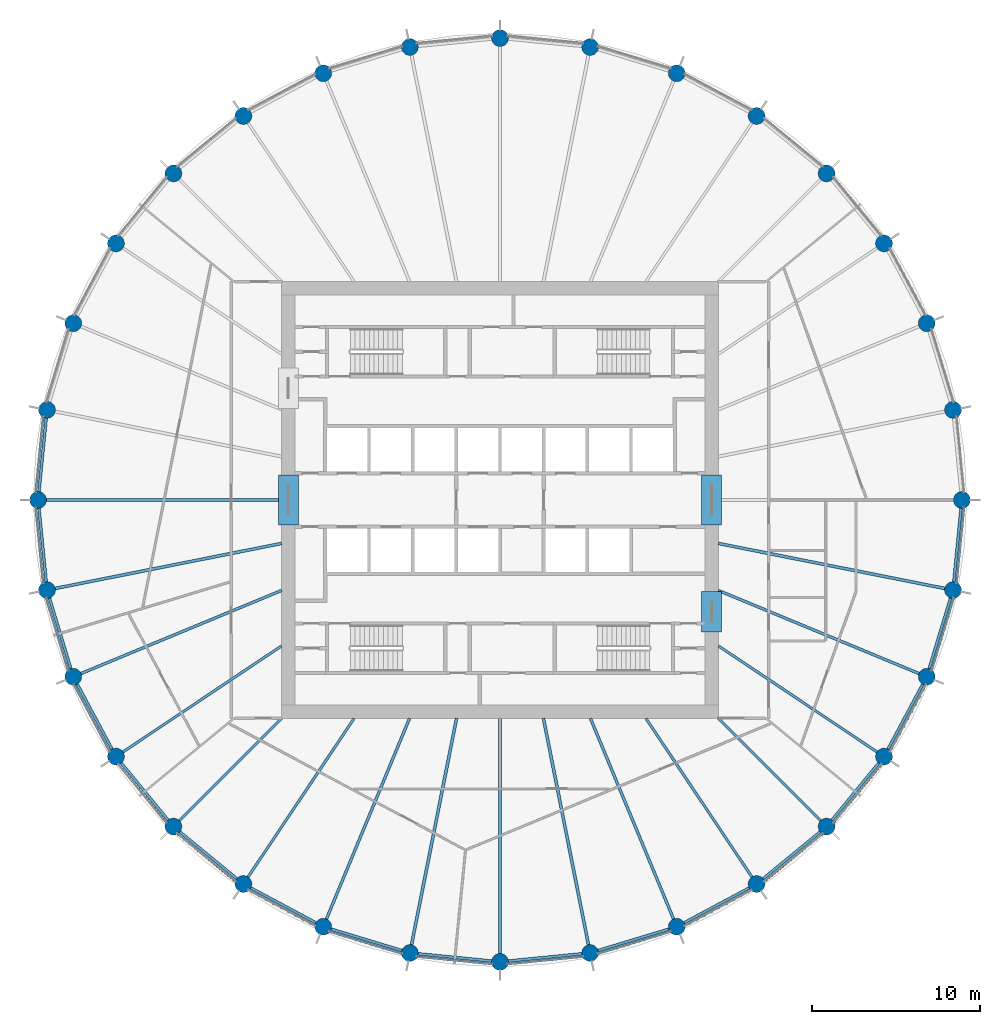
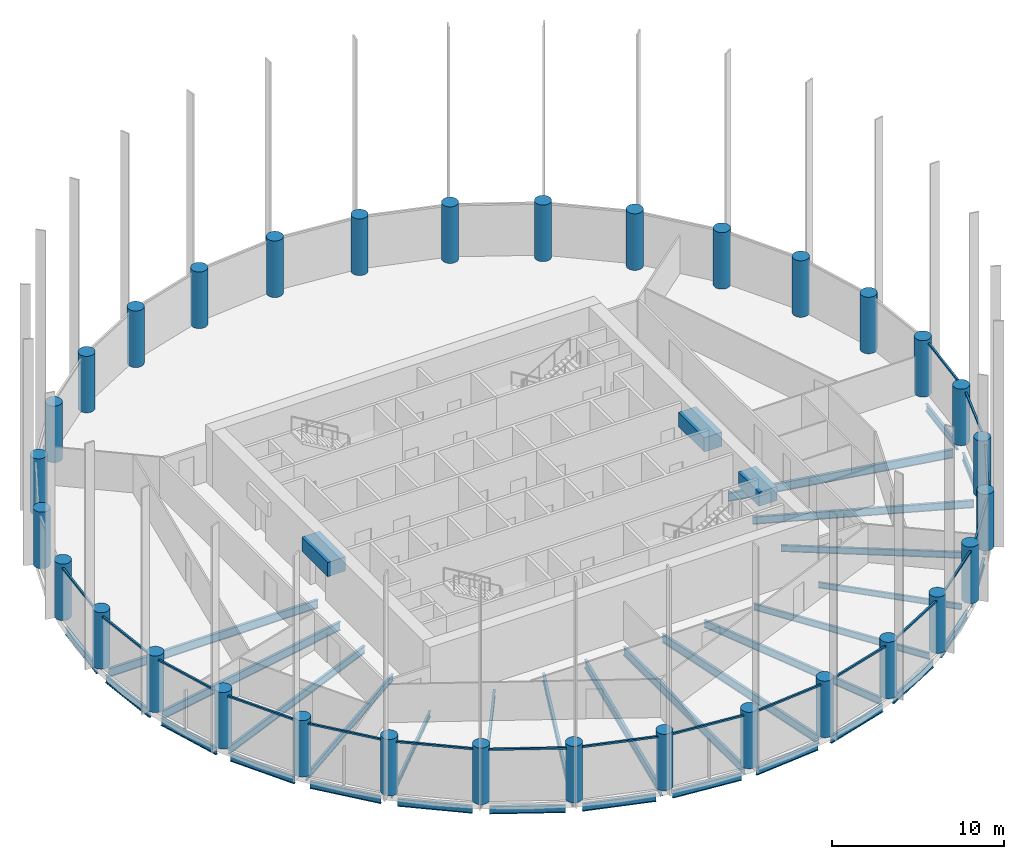
# One storey, part 1 of 8: 36 beams, 32 columns, 17 members, 17 elements without a shape of their own.
"""IFC4 building model written with IfcOpenShell, lengths in metres."""

from ifc_helpers import new_model, si_unit, direction, frame, origin, origin_2d, place, context, subcontext, project, spatial, rectangle, circle, i_section, extrude, material, material_profile, profile_set, type_object, element, aggregate, save


model = new_model("IFC4")

# Units and contexts
model_context = context("Model", 3, precision=1e-05, world=origin(), true_north=direction((0.0, 1.0)))
body_context = subcontext(model_context, "Body", "Model", "MODEL_VIEW")
ifc_project = project(units=[si_unit("LENGTHUNIT", "METRE"), si_unit("AREAUNIT", "SQUARE_METRE"), si_unit("VOLUMEUNIT", "CUBIC_METRE"), si_unit("PLANEANGLEUNIT", "RADIAN"), si_unit("MASSUNIT", "GRAM", prefix="KILO")], contexts=[model_context])

# Site, building, storey
site_placement = place(None, origin())
site = spatial("IfcSite", under=ifc_project, at=site_placement, CompositionType="ELEMENT")
building_placement = place(site_placement, origin())
building = spatial("IfcBuilding", under=site, at=building_placement, Name="Corvane Civic Tower", CompositionType="ELEMENT")
storey_placement = place(building_placement, frame((0.0, 0.0, 201.5)))
storey = spatial("IfcBuildingStorey", under=building, at=storey_placement, Name="L47", CompositionType="ELEMENT", Elevation=201.5)

# Columns
ifc_material_1 = material(Name="Concrete C60/75", Category="concrete")
ifc_material_profile_1 = material_profile(ifc_material_1, circle(Radius=0.5, at=origin_2d()), Name="COLUMN 1000")
ifc_profile_set_1 = profile_set([ifc_material_profile_1], Name="Concrete C60/75")
column_type = type_object("IfcColumnType", Name="RC COLUMN COLUMN 1000", PredefinedType="COLUMN", material=ifc_profile_set_1)
for number, where, z_axis, x_axis, name in (
    (1, (0.0, 27.5, 0.0), (0.0, 0.0, 1.0), (1.0, 0.0, 0.0), "COL-L47-D01"),
    (2, (5.364990234375, 26.9716796875, 0.0), (0.0, 0.0, 1.0), (1.0, 0.0, 0.0), "COL-L47-D02"),
    (3, (10.523681640625, 25.40673828125, 0.0), (0.0, 0.0, 1.0), (1.0, 0.0, 0.0), "COL-L47-D03"),
    (4, (15.278076171875, 22.865478515625, 0.0), (0.0, 0.0, 1.0), (1.0, 0.0, 0.0), "COL-L47-D04"),
    (5, (19.445556640625, 19.445556640625, 0.0), (0.0, 0.0, 1.0), (1.0, 0.0, 0.0), "COL-L47-D05"),
    (6, (22.865478515625, 15.278076171875, 0.0), (0.0, 0.0, 1.0), (1.0, 0.0, 0.0), "COL-L47-D06"),
    (7, (25.40673828125, 10.523681640625, 0.0), (0.0, 0.0, 1.0), (1.0, 0.0, 0.0), "COL-L47-D07"),
    (8, (26.9716796875, 5.364990234375, 0.0), (0.0, 0.0, 1.0), (1.0, 0.0, 0.0), "COL-L47-D08"),
    (9, (27.5, 0.0, 0.0), (0.0, 0.0, 1.0), (1.0, 0.0, 0.0), "COL-L47-D09"),
    (10, (26.9716796875, -5.364990234375, 0.0), (0.0, 0.0, 1.0), (1.0, 0.0, 0.0), "COL-L47-D10"),
    (11, (25.40673828125, -10.523681640625, 0.0), (0.0, 0.0, 1.0), (1.0, 0.0, 0.0), "COL-L47-D11"),
    (12, (22.865478515625, -15.278076171875, 0.0), (0.0, 0.0, 1.0), (1.0, 0.0, 0.0), "COL-L47-D12"),
    (13, (19.445556640625, -19.445556640625, 0.0), (0.0, 0.0, 1.0), (1.0, 0.0, 0.0), "COL-L47-D13"),
    (14, (15.278076171875, -22.865478515625, 0.0), (0.0, 0.0, 1.0), (1.0, 0.0, 0.0), "COL-L47-D14"),
    (15, (10.523681640625, -25.40673828125, 0.0), (0.0, 0.0, 1.0), (1.0, 0.0, 0.0), "COL-L47-D15"),
    (16, (5.364990234375, -26.9716796875, 0.0), (0.0, 0.0, 1.0), (1.0, 0.0, 0.0), "COL-L47-D16"),
    (17, (0.0, -27.5, 0.0), (0.0, 0.0, 1.0), (1.0, 0.0, 0.0), "COL-L47-D17"),
    (18, (-5.364990234375, -26.9716796875, 0.0), (0.0, 0.0, 1.0), (1.0, 0.0, 0.0), "COL-L47-D18"),
    (19, (-10.523681640625, -25.40673828125, 0.0), (0.0, 0.0, 1.0), (1.0, 0.0, 0.0), "COL-L47-D19"),
    (20, (-15.278076171875, -22.865478515625, 0.0), (0.0, 0.0, 1.0), (1.0, 0.0, 0.0), "COL-L47-D20"),
    (21, (-19.445556640625, -19.445556640625, 0.0), (0.0, 0.0, 1.0), (1.0, 0.0, 0.0), "COL-L47-D21"),
    (22, (-22.865478515625, -15.278076171875, 0.0), (0.0, 0.0, 1.0), (1.0, 0.0, 0.0), "COL-L47-D22"),
    (23, (-25.40673828125, -10.523681640625, 0.0), (0.0, 0.0, 1.0), (1.0, 0.0, 0.0), "COL-L47-D23"),
    (24, (-26.9716796875, -5.364990234375, 0.0), (0.0, 0.0, 1.0), (1.0, 0.0, 0.0), "COL-L47-D24"),
    (25, (-27.5, 0.0, 0.0), (0.0, 0.0, 1.0), (1.0, 0.0, 0.0), "COL-L47-D25"),
    (26, (-26.9716796875, 5.364990234375, 0.0), (0.0, 0.0, 1.0), (1.0, 0.0, 0.0), "COL-L47-D26"),
    (27, (-25.40673828125, 10.523681640625, 0.0), (0.0, 0.0, 1.0), (1.0, 0.0, 0.0), "COL-L47-D27"),
    (28, (-22.865478515625, 15.278076171875, 0.0), (0.0, 0.0, 1.0), (1.0, 0.0, 0.0), "COL-L47-D28"),
    (29, (-19.445556640625, 19.445556640625, 0.0), (0.0, 0.0, 1.0), (1.0, 0.0, 0.0), "COL-L47-D29"),
    (30, (-15.278076171875, 22.865478515625, 0.0), (0.0, 0.0, 1.0), (1.0, 0.0, 0.0), "COL-L47-D30"),
    (31, (-10.523681640625, 25.40673828125, 0.0), (0.0, 0.0, 1.0), (1.0, 0.0, 0.0), "COL-L47-D31"),
    (32, (-5.364990234375, 26.9716796875, 0.0), (0.0, 0.0, 1.0), (1.0, 0.0, 0.0), "COL-L47-D32"),
):
    element("IfcColumn", number, at=place(storey_placement, frame(where, z_axis=z_axis, x_axis=x_axis)), inside=storey, type_object=column_type, Name=name, PredefinedType="COLUMN", context=body_context, shape_type="SweptSolid", body=[
        extrude(circle(Radius=0.5, at=origin_2d()), origin(), (0.0, 0.0, 1.0), 4.0),
    ])

# Beams
ifc_material_2 = material(Name="Concrete C50/60", Category="concrete")
ifc_material_profile_2 = material_profile(ifc_material_2, rectangle(XDim=1.199951171875, YDim=1.0, at=origin_2d()), Name="COUPLING BEAM 1200X1000")
ifc_profile_set_2 = profile_set([ifc_material_profile_2], Name="Concrete C50/60")
beam_type_1 = type_object("IfcBeamType", Name="COUPLING BEAM COUPLING BEAM 1200X1000", PredefinedType="BEAM", material=ifc_profile_set_2)
for number, where, z_axis, x_axis, name in (
    (33, (-12.60009765625, -1.5, 2.60009765625), (0.0, 1.0, 0.0), (-1.0, 0.0, 0.0), "BM-L47-cpl-CW-LW"),
    (34, (12.60009765625, -1.5, 2.60009765625), (0.0, 1.0, 0.0), (-1.0, 0.0, 0.0), "BM-L47-cpl-CW-LE"),
):
    element("IfcBeam", number, at=place(storey_placement, frame(where, z_axis=z_axis, x_axis=x_axis)), inside=storey, type_object=beam_type_1, Name=name, PredefinedType="BEAM", context=body_context, shape_type="SweptSolid", body=[
        extrude(rectangle(XDim=1.199951171875, YDim=1.0, at=origin_2d()), origin(), (0.0, 0.0, 1.0), 3.0),
    ])
beam_1_placement = place(storey_placement, frame((12.60009765625, -7.85009765625, 2.60009765625), z_axis=(0.0, 1.0, 0.0), x_axis=(-1.0, 0.0, 0.0)))
element("IfcBeam", 35, at=beam_1_placement, inside=storey, type_object=beam_type_1, Name="BM-L47-cpl-CW-ES", PredefinedType="BEAM", context=body_context, shape_type="SweptSolid", body=[
    extrude(rectangle(XDim=1.199951171875, YDim=1.0, at=origin_2d()), origin(), (0.0, 0.0, 1.0), 2.400146484375),
])
ifc_material_3 = material(Name="Steel ASTM A992 Gr 50", Category="steel")
ifc_material_profile_3 = material_profile(ifc_material_3, i_section(OverallWidth=0.165771484375, OverallDepth=0.5283203125, WebThickness=0.009765625, FlangeThickness=0.013671875, at=origin_2d()), Name="W21X50")
ifc_profile_set_3 = profile_set([ifc_material_profile_3], Name="Steel ASTM A992 Gr 50")
beam_type_2 = type_object("IfcBeamType", Name="EDGE BEAM W21X50", PredefinedType="BEAM", material=ifc_profile_set_3)
beam_2_placement = place(storey_placement, frame((27.450927734375, -0.49755859375, -0.714111328125), z_axis=(-0.097967711281, -0.995189593769, 0.0), x_axis=(0.995189593769, -0.097967711281, 0.0)))
element("IfcBeam", 36, at=beam_2_placement, inside=storey, type_object=beam_type_2, Name="BM-L47-E09", PredefinedType="BEAM", context=body_context, shape_type="SweptSolid", body=[
    extrude(i_section(OverallWidth=0.165771484375, OverallDepth=0.5283203125, WebThickness=0.009765625, FlangeThickness=0.013671875, at=origin_2d()), origin(), (0.0, 0.0, 1.0), 4.39111328125),
])
beam_3_placement = place(storey_placement, frame((26.826416015625, -5.843505859375, -0.714111328125), z_axis=(-0.290254307888, -0.956949547653, 0.0), x_axis=(0.956949547653, -0.290254307888, 0.0)))
element("IfcBeam", 37, at=beam_3_placement, inside=storey, type_object=beam_type_2, Name="BM-L47-E10", PredefinedType="BEAM", context=body_context, shape_type="SweptSolid", body=[
    extrude(i_section(OverallWidth=0.165771484375, OverallDepth=0.5283203125, WebThickness=0.009765625, FlangeThickness=0.013671875, at=origin_2d()), origin(), (0.0, 0.0, 1.0), 4.390625),
])
for number, where, z_axis, x_axis, name in (
    (38, (25.171142578125, -10.964599609375, -0.714111328125), (-0.471422006704, -0.881907756852, 0.0), (0.881907756852, -0.471422006704, 0.0), "BM-L47-E11"),
    (39, (22.54833984375, -15.66455078125, -0.714111328125), (-0.634369433447, -0.773030026524, 0.0), (0.773030026524, -0.634369433447, 0.0), "BM-L47-E12"),
    (40, (19.05908203125, -19.7626953125, -0.714111328125), (-0.773030026524, -0.634369433447, 0.0), (0.634369433447, -0.773030026524, 0.0), "BM-L47-E13"),
    (41, (14.837158203125, -23.10107421875, -0.714111328125), (-0.881907756852, -0.471422006704, 0.0), (0.471422006704, -0.881907756852, 0.0), "BM-L47-E14"),
):
    element("IfcBeam", number, at=place(storey_placement, frame(where, z_axis=z_axis, x_axis=x_axis)), inside=storey, type_object=beam_type_2, Name=name, PredefinedType="BEAM", context=body_context, shape_type="SweptSolid", body=[
        extrude(i_section(OverallWidth=0.165771484375, OverallDepth=0.5283203125, WebThickness=0.009765625, FlangeThickness=0.013671875, at=origin_2d()), origin(), (0.0, 0.0, 1.0), 4.39111328125),
    ])
beam_4_placement = place(storey_placement, frame((10.045166015625, -25.552001953125, -0.714111328125), z_axis=(-0.956949547653, -0.290254307888, 0.0), x_axis=(0.290254307888, -0.956949547653, 0.0)))
element("IfcBeam", 42, at=beam_4_placement, inside=storey, type_object=beam_type_2, Name="BM-L47-E15", PredefinedType="BEAM", context=body_context, shape_type="SweptSolid", body=[
    extrude(i_section(OverallWidth=0.165771484375, OverallDepth=0.5283203125, WebThickness=0.009765625, FlangeThickness=0.013671875, at=origin_2d()), origin(), (0.0, 0.0, 1.0), 4.390625),
])
for number, where, z_axis, x_axis, name in (
    (43, (4.867431640625, -27.020751953125, -0.714111328125), (-0.995189593769, -0.097967711281, 0.0), (0.097967711281, -0.995189593769, 0.0), "BM-L47-E16"),
    (44, (-0.49755859375, -27.450927734375, -0.714111328125), (-0.995189593769, 0.097967711281, 0.0), (-0.097967711281, -0.995189593769, 0.0), "BM-L47-E17"),
):
    element("IfcBeam", number, at=place(storey_placement, frame(where, z_axis=z_axis, x_axis=x_axis)), inside=storey, type_object=beam_type_2, Name=name, PredefinedType="BEAM", context=body_context, shape_type="SweptSolid", body=[
        extrude(i_section(OverallWidth=0.165771484375, OverallDepth=0.5283203125, WebThickness=0.009765625, FlangeThickness=0.013671875, at=origin_2d()), origin(), (0.0, 0.0, 1.0), 4.39111328125),
    ])
beam_5_placement = place(storey_placement, frame((-5.843505859375, -26.826416015625, -0.714111328125), z_axis=(-0.956949547653, 0.290254307888, 0.0), x_axis=(-0.290254307888, -0.956949547653, 0.0)))
element("IfcBeam", 45, at=beam_5_placement, inside=storey, type_object=beam_type_2, Name="BM-L47-E18", PredefinedType="BEAM", context=body_context, shape_type="SweptSolid", body=[
    extrude(i_section(OverallWidth=0.165771484375, OverallDepth=0.5283203125, WebThickness=0.009765625, FlangeThickness=0.013671875, at=origin_2d()), origin(), (0.0, 0.0, 1.0), 4.390625),
])
for number, where, z_axis, x_axis, name in (
    (46, (-10.964599609375, -25.171142578125, -0.714111328125), (-0.881907756852, 0.471422006704, 0.0), (-0.471422006704, -0.881907756852, 0.0), "BM-L47-E19"),
    (47, (-15.66455078125, -22.54833984375, -0.714111328125), (-0.773030026524, 0.634369433447, 0.0), (-0.634369433447, -0.773030026524, 0.0), "BM-L47-E20"),
    (48, (-19.7626953125, -19.05908203125, -0.714111328125), (-0.634369433447, 0.773030026524, 0.0), (-0.773030026524, -0.634369433447, 0.0), "BM-L47-E21"),
    (49, (-23.10107421875, -14.837158203125, -0.714111328125), (-0.471422006704, 0.881907756852, 0.0), (-0.881907756852, -0.471422006704, 0.0), "BM-L47-E22"),
):
    element("IfcBeam", number, at=place(storey_placement, frame(where, z_axis=z_axis, x_axis=x_axis)), inside=storey, type_object=beam_type_2, Name=name, PredefinedType="BEAM", context=body_context, shape_type="SweptSolid", body=[
        extrude(i_section(OverallWidth=0.165771484375, OverallDepth=0.5283203125, WebThickness=0.009765625, FlangeThickness=0.013671875, at=origin_2d()), origin(), (0.0, 0.0, 1.0), 4.39111328125),
    ])
beam_6_placement = place(storey_placement, frame((-25.552001953125, -10.045166015625, -0.714111328125), z_axis=(-0.290254307888, 0.956949547653, 0.0), x_axis=(-0.956949547653, -0.290254307888, 0.0)))
element("IfcBeam", 50, at=beam_6_placement, inside=storey, type_object=beam_type_2, Name="BM-L47-E23", PredefinedType="BEAM", context=body_context, shape_type="SweptSolid", body=[
    extrude(i_section(OverallWidth=0.165771484375, OverallDepth=0.5283203125, WebThickness=0.009765625, FlangeThickness=0.013671875, at=origin_2d()), origin(), (0.0, 0.0, 1.0), 4.390625),
])
for number, where, z_axis, x_axis, name in (
    (51, (-27.020751953125, -4.867431640625, -0.714111328125), (-0.097967711281, 0.995189593769, 0.0), (-0.995189593769, -0.097967711281, 0.0), "BM-L47-E24"),
    (52, (-27.450927734375, 0.49755859375, -0.714111328125), (0.097967711281, 0.995189593769, 0.0), (-0.995189593769, 0.097967711281, 0.0), "BM-L47-E25"),
):
    element("IfcBeam", number, at=place(storey_placement, frame(where, z_axis=z_axis, x_axis=x_axis)), inside=storey, type_object=beam_type_2, Name=name, PredefinedType="BEAM", context=body_context, shape_type="SweptSolid", body=[
        extrude(i_section(OverallWidth=0.165771484375, OverallDepth=0.5283203125, WebThickness=0.009765625, FlangeThickness=0.013671875, at=origin_2d()), origin(), (0.0, 0.0, 1.0), 4.39111328125),
    ])
ifc_material_4 = material(Name="Steel ASTM A992 Gr 50", Category="steel")
ifc_material_profile_4 = material_profile(ifc_material_4, i_section(OverallWidth=0.140380859375, OverallDepth=0.40380859375, WebThickness=0.007080078125, FlangeThickness=0.01123046875, at=origin_2d()), Name="W16X31")
ifc_profile_set_4 = profile_set([ifc_material_profile_4], Name="Steel ASTM A992 Gr 50")
beam_type_3 = type_object("IfcBeamType", Name="FLOOR GIRDER W16X31", PredefinedType="BEAM", material=ifc_profile_set_4)
for number, where, z_axis, x_axis, name in (
    (53, (13.0, -13.0, -0.65185546875), (0.707106781187, -0.707106781187, 0.0), (0.707106781187, 0.707106781187, 0.0), "BM-L47-G13"),
    (54, (-13.0, -13.0, -0.65185546875), (-0.707106781187, -0.707106781187, 0.0), (0.707106781187, -0.707106781187, 0.0), "BM-L47-G21"),
):
    element("IfcBeam", number, at=place(storey_placement, frame(where, z_axis=z_axis, x_axis=x_axis)), inside=storey, type_object=beam_type_3, Name=name, PredefinedType="BEAM", context=body_context, shape_type="SweptSolid", body=[
        extrude(i_section(OverallWidth=0.140380859375, OverallDepth=0.40380859375, WebThickness=0.007080078125, FlangeThickness=0.01123046875, at=origin_2d()), origin(), (0.0, 0.0, 1.0), 8.614990234375),
    ])
ifc_material_5 = material(Name="Steel ASTM A992 Gr 50", Category="steel")
ifc_material_profile_5 = material_profile(ifc_material_5, i_section(OverallWidth=0.15283203125, OverallDepth=0.45458984375, WebThickness=0.008056640625, FlangeThickness=0.013427734375, at=origin_2d()), Name="W18X40")
ifc_profile_set_5 = profile_set([ifc_material_profile_5], Name="Steel ASTM A992 Gr 50")
beam_type_4 = type_object("IfcBeamType", Name="FLOOR GIRDER W18X40", PredefinedType="BEAM", material=ifc_profile_set_5)
for number, where, z_axis, x_axis, name in (
    (55, (13.0, -8.686279296875, -0.67724609375), (0.831464872557, -0.555577326485, 0.0), (0.555577326485, 0.831464872557, 0.0), "BM-L47-G12"),
    (56, (8.686279296875, -13.0, -0.67724609375), (0.555577326485, -0.831464872557, 0.0), (0.831464872557, 0.555577326485, 0.0), "BM-L47-G14"),
    (57, (-8.686279296875, -13.0, -0.67724609375), (-0.555577326485, -0.831464872557, 0.0), (0.831464872557, -0.555577326485, 0.0), "BM-L47-G20"),
    (58, (-13.0, -8.686279296875, -0.67724609375), (-0.831464872557, -0.555577326485, 0.0), (0.555577326485, -0.831464872557, 0.0), "BM-L47-G22"),
):
    element("IfcBeam", number, at=place(storey_placement, frame(where, z_axis=z_axis, x_axis=x_axis)), inside=storey, type_object=beam_type_4, Name=name, PredefinedType="BEAM", context=body_context, shape_type="SweptSolid", body=[
        extrude(i_section(OverallWidth=0.15283203125, OverallDepth=0.45458984375, WebThickness=0.008056640625, FlangeThickness=0.013427734375, at=origin_2d()), origin(), (0.0, 0.0, 1.0), 11.365234375),
    ])
ifc_material_6 = material(Name="Steel ASTM A992 Gr 50", Category="steel")
ifc_material_profile_6 = material_profile(ifc_material_6, i_section(OverallWidth=0.165771484375, OverallDepth=0.5283203125, WebThickness=0.009765625, FlangeThickness=0.013671875, at=origin_2d()), Name="W21X50")
ifc_profile_set_6 = profile_set([ifc_material_profile_6], Name="Steel ASTM A992 Gr 50")
beam_type_5 = type_object("IfcBeamType", Name="FLOOR GIRDER W21X50", PredefinedType="BEAM", material=ifc_profile_set_6)
for number, where, z_axis, x_axis, name in (
    (59, (13.0, -5.384765625, -0.714111328125), (0.923878282404, -0.382686450378, 0.0), (0.382686450378, 0.923878282404, 0.0), "BM-L47-G11"),
    (60, (5.384765625, -13.0, -0.714111328125), (0.382686450378, -0.923878282404, 0.0), (0.923878282404, 0.382686450378, 0.0), "BM-L47-G15"),
    (61, (-5.384765625, -13.0, -0.714111328125), (-0.382686450378, -0.923878282404, 0.0), (0.923878282404, -0.382686450378, 0.0), "BM-L47-G19"),
    (62, (-13.0, -5.384765625, -0.714111328125), (-0.923878282404, -0.382686450378, 0.0), (0.382686450378, -0.923878282404, 0.0), "BM-L47-G23"),
):
    element("IfcBeam", number, at=place(storey_placement, frame(where, z_axis=z_axis, x_axis=x_axis)), inside=storey, type_object=beam_type_5, Name=name, PredefinedType="BEAM", context=body_context, shape_type="SweptSolid", body=[
        extrude(i_section(OverallWidth=0.165771484375, OverallDepth=0.5283203125, WebThickness=0.009765625, FlangeThickness=0.013671875, at=origin_2d()), origin(), (0.0, 0.0, 1.0), 12.928955078125),
    ])
ifc_material_7 = material(Name="Steel ASTM A992 Gr 50", Category="steel")
ifc_material_profile_7 = material_profile(ifc_material_7, i_section(OverallWidth=0.177978515625, OverallDepth=0.599365234375, WebThickness=0.010009765625, FlangeThickness=0.012939453125, at=origin_2d()), Name="W24X55")
ifc_profile_set_7 = profile_set([ifc_material_profile_7], Name="Steel ASTM A992 Gr 50")
beam_type_6 = type_object("IfcBeamType", Name="FLOOR GIRDER W24X55", PredefinedType="BEAM", material=ifc_profile_set_7)
for number, where, z_axis, x_axis, name in (
    (63, (13.0, -2.5859375, -0.749755859375), (0.980787802109, -0.195077644118, 0.0), (0.195077644118, 0.980787802109, 0.0), "BM-L47-G10"),
    (64, (2.5859375, -13.0, -0.749755859375), (0.195077644118, -0.980787802109, 0.0), (0.980787802109, 0.195077644118, 0.0), "BM-L47-G16"),
):
    element("IfcBeam", number, at=place(storey_placement, frame(where, z_axis=z_axis, x_axis=x_axis)), inside=storey, type_object=beam_type_6, Name=name, PredefinedType="BEAM", context=body_context, shape_type="SweptSolid", body=[
        extrude(i_section(OverallWidth=0.177978515625, OverallDepth=0.599365234375, WebThickness=0.010009765625, FlangeThickness=0.012939453125, at=origin_2d()), origin(), (0.0, 0.0, 1.0), 13.745361328125),
    ])
beam_7_placement = place(storey_placement, frame((0.0, -13.0, -0.749755859375), z_axis=(0.0, -1.0, 0.0), x_axis=(1.0, 0.0, 0.0)))
element("IfcBeam", 65, at=beam_7_placement, inside=storey, type_object=beam_type_6, Name="BM-L47-G17", PredefinedType="BEAM", context=body_context, shape_type="SweptSolid", body=[
    extrude(i_section(OverallWidth=0.177978515625, OverallDepth=0.599365234375, WebThickness=0.010009765625, FlangeThickness=0.012939453125, at=origin_2d()), origin(), (0.0, 0.0, 1.0), 14.0),
])
for number, where, z_axis, x_axis, name in (
    (66, (-2.5859375, -13.0, -0.749755859375), (-0.195077644118, -0.980787802109, 0.0), (0.980787802109, -0.195077644118, 0.0), "BM-L47-G18"),
    (67, (-13.0, -2.5859375, -0.749755859375), (-0.980787802109, -0.195077644118, 0.0), (0.195077644118, -0.980787802109, 0.0), "BM-L47-G24"),
):
    element("IfcBeam", number, at=place(storey_placement, frame(where, z_axis=z_axis, x_axis=x_axis)), inside=storey, type_object=beam_type_6, Name=name, PredefinedType="BEAM", context=body_context, shape_type="SweptSolid", body=[
        extrude(i_section(OverallWidth=0.177978515625, OverallDepth=0.599365234375, WebThickness=0.010009765625, FlangeThickness=0.012939453125, at=origin_2d()), origin(), (0.0, 0.0, 1.0), 13.745361328125),
    ])
beam_8_placement = place(storey_placement, frame((-13.0, 0.0, -0.749755859375), z_axis=(-1.0, 0.0, 0.0), x_axis=(0.0, -1.0, 0.0)))
element("IfcBeam", 68, at=beam_8_placement, inside=storey, type_object=beam_type_6, Name="BM-L47-G25", PredefinedType="BEAM", context=body_context, shape_type="SweptSolid", body=[
    extrude(i_section(OverallWidth=0.177978515625, OverallDepth=0.599365234375, WebThickness=0.010009765625, FlangeThickness=0.012939453125, at=origin_2d()), origin(), (0.0, 0.0, 1.0), 14.0),
])

# Curtain wall, member
ifc_material_8 = material(Name="Anodised aluminium bronze", Category="aluminium")
curtain_wall_type = type_object("IfcCurtainWallType", Name="TOWER CW-T2 STICK CURTAIN WALL", PredefinedType="NOTDEFINED", material=ifc_material_8)
curtain_wall_1_placement = place(storey_placement, origin())
curtain_wall_1 = element("IfcCurtainWall", 69, at=curtain_wall_1_placement, inside=storey, type_object=curtain_wall_type, Name="Curtain wall CW-T2 L47 bay 09", PredefinedType="NOTDEFINED")
ifc_material_9 = material(Name="Anodised aluminium bronze", Category="aluminium")
ifc_material_profile_8 = material_profile(ifc_material_9, rectangle(XDim=0.1201171875, YDim=0.1201171875, at=origin_2d()), Name="TOWER CW-T2 TRANSOM 120x120")
ifc_profile_set_8 = profile_set([ifc_material_profile_8], Name="Anodised aluminium bronze")
member_type = type_object("IfcMemberType", Name="TOWER CW-T2 TRANSOM 120x120", PredefinedType="USERDEFINED", material=ifc_profile_set_8)
member_1_placement = place(storey_placement, frame((27.635498046875, -0.452392578125, 3.68994140625), z_axis=(-0.098042715701, -0.995182207386, 0.0), x_axis=(0.995182207386, -0.098042715701, 0.0)))
member_1 = element("IfcMember", 70, at=member_1_placement, type_object=member_type, Name="Transom CW-T2 L47 09.1", ObjectType="TRANSOM", PredefinedType="USERDEFINED", context=body_context, shape_type="SweptSolid", body=[
    extrude(rectangle(XDim=0.1201171875, YDim=0.1201171875, at=origin_2d()), origin(), (0.0, 0.0, 1.0), 4.51708984375),
])
aggregate(curtain_wall_1, [member_1])

curtain_wall_2_placement = place(storey_placement, origin())
curtain_wall_2 = element("IfcCurtainWall", 71, at=curtain_wall_2_placement, inside=storey, type_object=curtain_wall_type, Name="Curtain wall CW-T2 L47 bay 10", PredefinedType="NOTDEFINED")
member_2_placement = place(storey_placement, frame((27.016357421875, -5.8349609375, 3.68994140625), z_axis=(-0.2902818869, -0.956941182173, 0.0), x_axis=(0.956941182173, -0.2902818869, 0.0)))
member_2 = element("IfcMember", 72, at=member_2_placement, type_object=member_type, Name="Transom CW-T2 L47 10.1", ObjectType="TRANSOM", PredefinedType="USERDEFINED", context=body_context, shape_type="SweptSolid", body=[
    extrude(rectangle(XDim=0.1201171875, YDim=0.1201171875, at=origin_2d()), origin(), (0.0, 0.0, 1.0), 4.517333984375),
])
aggregate(curtain_wall_2, [member_2])

curtain_wall_3_placement = place(storey_placement, origin())
curtain_wall_3 = element("IfcCurtainWall", 73, at=curtain_wall_3_placement, inside=storey, type_object=curtain_wall_type, Name="Curtain wall CW-T2 L47 bay 11", PredefinedType="NOTDEFINED")
member_3_placement = place(storey_placement, frame((25.35888671875, -10.993408203125, 3.68994140625), z_axis=(-0.471390317183, -0.881924695689, 0.0), x_axis=(0.881924695689, -0.471390317183, 0.0)))
member_3 = element("IfcMember", 74, at=member_3_placement, type_object=member_type, Name="Transom CW-T2 L47 11.1", ObjectType="TRANSOM", PredefinedType="USERDEFINED", context=body_context, shape_type="SweptSolid", body=[
    extrude(rectangle(XDim=0.1201171875, YDim=0.1201171875, at=origin_2d()), origin(), (0.0, 0.0, 1.0), 4.517333984375),
])
aggregate(curtain_wall_3, [member_3])

curtain_wall_4_placement = place(storey_placement, origin())
curtain_wall_4 = element("IfcCurtainWall", 75, at=curtain_wall_4_placement, inside=storey, type_object=curtain_wall_type, Name="Curtain wall CW-T2 L47 bay 12", PredefinedType="NOTDEFINED")
member_4_placement = place(storey_placement, frame((22.726806640625, -15.7294921875, 3.68994140625), z_axis=(-0.634387834569, -0.773014925698, 0.0), x_axis=(0.773014925698, -0.634387834569, 0.0)))
member_4 = element("IfcMember", 76, at=member_4_placement, type_object=member_type, Name="Transom CW-T2 L47 12.1", ObjectType="TRANSOM", PredefinedType="USERDEFINED", context=body_context, shape_type="SweptSolid", body=[
    extrude(rectangle(XDim=0.1201171875, YDim=0.1201171875, at=origin_2d()), origin(), (0.0, 0.0, 1.0), 4.517333984375),
])
aggregate(curtain_wall_4, [member_4])

curtain_wall_5_placement = place(storey_placement, origin())
curtain_wall_5 = element("IfcCurtainWall", 77, at=curtain_wall_5_placement, inside=storey, type_object=curtain_wall_type, Name="Curtain wall CW-T2 L47 bay 13", PredefinedType="NOTDEFINED")
member_5_placement = place(storey_placement, frame((19.221435546875, -19.861083984375, 3.68994140625), z_axis=(-0.773014925698, -0.634387834569, 0.0), x_axis=(0.634387834569, -0.773014925698, 0.0)))
member_5 = element("IfcMember", 78, at=member_5_placement, type_object=member_type, Name="Transom CW-T2 L47 13.1", ObjectType="TRANSOM", PredefinedType="USERDEFINED", context=body_context, shape_type="SweptSolid", body=[
    extrude(rectangle(XDim=0.1201171875, YDim=0.1201171875, at=origin_2d()), origin(), (0.0, 0.0, 1.0), 4.517333984375),
])
aggregate(curtain_wall_5, [member_5])

curtain_wall_6_placement = place(storey_placement, origin())
curtain_wall_6 = element("IfcCurtainWall", 79, at=curtain_wall_6_placement, inside=storey, type_object=curtain_wall_type, Name="Curtain wall CW-T2 L47 bay 14", PredefinedType="NOTDEFINED")
member_6_placement = place(storey_placement, frame((14.977294921875, -23.2294921875, 3.68994140625), z_axis=(-0.881924695689, -0.471390317183, 0.0), x_axis=(0.471390317183, -0.881924695689, 0.0)))
member_6 = element("IfcMember", 80, at=member_6_placement, type_object=member_type, Name="Transom CW-T2 L47 14.1", ObjectType="TRANSOM", PredefinedType="USERDEFINED", context=body_context, shape_type="SweptSolid", body=[
    extrude(rectangle(XDim=0.1201171875, YDim=0.1201171875, at=origin_2d()), origin(), (0.0, 0.0, 1.0), 4.517333984375),
])
aggregate(curtain_wall_6, [member_6])

curtain_wall_7_placement = place(storey_placement, origin())
curtain_wall_7 = element("IfcCurtainWall", 81, at=curtain_wall_7_placement, inside=storey, type_object=curtain_wall_type, Name="Curtain wall CW-T2 L47 bay 15", PredefinedType="NOTDEFINED")
member_7_placement = place(storey_placement, frame((10.15771484375, -25.705078125, 3.68994140625), z_axis=(-0.956941182173, -0.2902818869, 0.0), x_axis=(0.2902818869, -0.956941182173, 0.0)))
member_7 = element("IfcMember", 82, at=member_7_placement, type_object=member_type, Name="Transom CW-T2 L47 15.1", ObjectType="TRANSOM", PredefinedType="USERDEFINED", context=body_context, shape_type="SweptSolid", body=[
    extrude(rectangle(XDim=0.1201171875, YDim=0.1201171875, at=origin_2d()), origin(), (0.0, 0.0, 1.0), 4.517333984375),
])
aggregate(curtain_wall_7, [member_7])

curtain_wall_8_placement = place(storey_placement, origin())
curtain_wall_8 = element("IfcCurtainWall", 83, at=curtain_wall_8_placement, inside=storey, type_object=curtain_wall_type, Name="Curtain wall CW-T2 L47 bay 16", PredefinedType="NOTDEFINED")
member_8_placement = place(storey_placement, frame((4.94775390625, -27.192626953125, 3.68994140625), z_axis=(-0.995182207386, -0.098042715701, 0.0), x_axis=(0.098042715701, -0.995182207386, 0.0)))
member_8 = element("IfcMember", 84, at=member_8_placement, type_object=member_type, Name="Transom CW-T2 L47 16.1", ObjectType="TRANSOM", PredefinedType="USERDEFINED", context=body_context, shape_type="SweptSolid", body=[
    extrude(rectangle(XDim=0.1201171875, YDim=0.1201171875, at=origin_2d()), origin(), (0.0, 0.0, 1.0), 4.51708984375),
])
aggregate(curtain_wall_8, [member_8])

curtain_wall_9_placement = place(storey_placement, origin())
curtain_wall_9 = element("IfcCurtainWall", 85, at=curtain_wall_9_placement, inside=storey, type_object=curtain_wall_type, Name="Curtain wall CW-T2 L47 bay 17", PredefinedType="NOTDEFINED")
member_9_placement = place(storey_placement, frame((-0.452392578125, -27.635498046875, 3.68994140625), z_axis=(-0.995182207386, 0.098042715701, 0.0), x_axis=(-0.098042715701, -0.995182207386, 0.0)))
member_9 = element("IfcMember", 86, at=member_9_placement, type_object=member_type, Name="Transom CW-T2 L47 17.1", ObjectType="TRANSOM", PredefinedType="USERDEFINED", context=body_context, shape_type="SweptSolid", body=[
    extrude(rectangle(XDim=0.1201171875, YDim=0.1201171875, at=origin_2d()), origin(), (0.0, 0.0, 1.0), 4.51708984375),
])
aggregate(curtain_wall_9, [member_9])

curtain_wall_10_placement = place(storey_placement, origin())
curtain_wall_10 = element("IfcCurtainWall", 87, at=curtain_wall_10_placement, inside=storey, type_object=curtain_wall_type, Name="Curtain wall CW-T2 L47 bay 18", PredefinedType="NOTDEFINED")
member_10_placement = place(storey_placement, frame((-5.8349609375, -27.016357421875, 3.68994140625), z_axis=(-0.956941182173, 0.2902818869, 0.0), x_axis=(-0.2902818869, -0.956941182173, 0.0)))
member_10 = element("IfcMember", 88, at=member_10_placement, type_object=member_type, Name="Transom CW-T2 L47 18.1", ObjectType="TRANSOM", PredefinedType="USERDEFINED", context=body_context, shape_type="SweptSolid", body=[
    extrude(rectangle(XDim=0.1201171875, YDim=0.1201171875, at=origin_2d()), origin(), (0.0, 0.0, 1.0), 4.517333984375),
])
aggregate(curtain_wall_10, [member_10])

curtain_wall_11_placement = place(storey_placement, origin())
curtain_wall_11 = element("IfcCurtainWall", 89, at=curtain_wall_11_placement, inside=storey, type_object=curtain_wall_type, Name="Curtain wall CW-T2 L47 bay 19", PredefinedType="NOTDEFINED")
member_11_placement = place(storey_placement, frame((-10.993408203125, -25.35888671875, 3.68994140625), z_axis=(-0.881924695689, 0.471390317183, 0.0), x_axis=(-0.471390317183, -0.881924695689, 0.0)))
member_11 = element("IfcMember", 90, at=member_11_placement, type_object=member_type, Name="Transom CW-T2 L47 19.1", ObjectType="TRANSOM", PredefinedType="USERDEFINED", context=body_context, shape_type="SweptSolid", body=[
    extrude(rectangle(XDim=0.1201171875, YDim=0.1201171875, at=origin_2d()), origin(), (0.0, 0.0, 1.0), 4.517333984375),
])
aggregate(curtain_wall_11, [member_11])

curtain_wall_12_placement = place(storey_placement, origin())
curtain_wall_12 = element("IfcCurtainWall", 91, at=curtain_wall_12_placement, inside=storey, type_object=curtain_wall_type, Name="Curtain wall CW-T2 L47 bay 20", PredefinedType="NOTDEFINED")
member_12_placement = place(storey_placement, frame((-15.7294921875, -22.726806640625, 3.68994140625), z_axis=(-0.773014925698, 0.634387834569, 0.0), x_axis=(-0.634387834569, -0.773014925698, 0.0)))
member_12 = element("IfcMember", 92, at=member_12_placement, type_object=member_type, Name="Transom CW-T2 L47 20.1", ObjectType="TRANSOM", PredefinedType="USERDEFINED", context=body_context, shape_type="SweptSolid", body=[
    extrude(rectangle(XDim=0.1201171875, YDim=0.1201171875, at=origin_2d()), origin(), (0.0, 0.0, 1.0), 4.517333984375),
])
aggregate(curtain_wall_12, [member_12])

curtain_wall_13_placement = place(storey_placement, origin())
curtain_wall_13 = element("IfcCurtainWall", 93, at=curtain_wall_13_placement, inside=storey, type_object=curtain_wall_type, Name="Curtain wall CW-T2 L47 bay 21", PredefinedType="NOTDEFINED")
member_13_placement = place(storey_placement, frame((-19.861083984375, -19.221435546875, 3.68994140625), z_axis=(-0.634387834569, 0.773014925698, 0.0), x_axis=(-0.773014925698, -0.634387834569, 0.0)))
member_13 = element("IfcMember", 94, at=member_13_placement, type_object=member_type, Name="Transom CW-T2 L47 21.1", ObjectType="TRANSOM", PredefinedType="USERDEFINED", context=body_context, shape_type="SweptSolid", body=[
    extrude(rectangle(XDim=0.1201171875, YDim=0.1201171875, at=origin_2d()), origin(), (0.0, 0.0, 1.0), 4.517333984375),
])
aggregate(curtain_wall_13, [member_13])

curtain_wall_14_placement = place(storey_placement, origin())
curtain_wall_14 = element("IfcCurtainWall", 95, at=curtain_wall_14_placement, inside=storey, type_object=curtain_wall_type, Name="Curtain wall CW-T2 L47 bay 22", PredefinedType="NOTDEFINED")
member_14_placement = place(storey_placement, frame((-23.2294921875, -14.977294921875, 3.68994140625), z_axis=(-0.471390317183, 0.881924695689, 0.0), x_axis=(-0.881924695689, -0.471390317183, 0.0)))
member_14 = element("IfcMember", 96, at=member_14_placement, type_object=member_type, Name="Transom CW-T2 L47 22.1", ObjectType="TRANSOM", PredefinedType="USERDEFINED", context=body_context, shape_type="SweptSolid", body=[
    extrude(rectangle(XDim=0.1201171875, YDim=0.1201171875, at=origin_2d()), origin(), (0.0, 0.0, 1.0), 4.517333984375),
])
aggregate(curtain_wall_14, [member_14])

curtain_wall_15_placement = place(storey_placement, origin())
curtain_wall_15 = element("IfcCurtainWall", 97, at=curtain_wall_15_placement, inside=storey, type_object=curtain_wall_type, Name="Curtain wall CW-T2 L47 bay 23", PredefinedType="NOTDEFINED")
member_15_placement = place(storey_placement, frame((-25.705078125, -10.15771484375, 3.68994140625), z_axis=(-0.2902818869, 0.956941182173, 0.0), x_axis=(-0.956941182173, -0.2902818869, 0.0)))
member_15 = element("IfcMember", 98, at=member_15_placement, type_object=member_type, Name="Transom CW-T2 L47 23.1", ObjectType="TRANSOM", PredefinedType="USERDEFINED", context=body_context, shape_type="SweptSolid", body=[
    extrude(rectangle(XDim=0.1201171875, YDim=0.1201171875, at=origin_2d()), origin(), (0.0, 0.0, 1.0), 4.517333984375),
])
aggregate(curtain_wall_15, [member_15])

curtain_wall_16_placement = place(storey_placement, origin())
curtain_wall_16 = element("IfcCurtainWall", 99, at=curtain_wall_16_placement, inside=storey, type_object=curtain_wall_type, Name="Curtain wall CW-T2 L47 bay 24", PredefinedType="NOTDEFINED")
member_16_placement = place(storey_placement, frame((-27.192626953125, -4.94775390625, 3.68994140625), z_axis=(-0.098042715701, 0.995182207386, 0.0), x_axis=(-0.995182207386, -0.098042715701, 0.0)))
member_16 = element("IfcMember", 100, at=member_16_placement, type_object=member_type, Name="Transom CW-T2 L47 24.1", ObjectType="TRANSOM", PredefinedType="USERDEFINED", context=body_context, shape_type="SweptSolid", body=[
    extrude(rectangle(XDim=0.1201171875, YDim=0.1201171875, at=origin_2d()), origin(), (0.0, 0.0, 1.0), 4.51708984375),
])
aggregate(curtain_wall_16, [member_16])

curtain_wall_17_placement = place(storey_placement, origin())
curtain_wall_17 = element("IfcCurtainWall", 101, at=curtain_wall_17_placement, inside=storey, type_object=curtain_wall_type, Name="Curtain wall CW-T2 L47 bay 25", PredefinedType="NOTDEFINED")
member_17_placement = place(storey_placement, frame((-27.635498046875, 0.452392578125, 3.68994140625), z_axis=(0.098042715701, 0.995182207386, 0.0), x_axis=(-0.995182207386, 0.098042715701, 0.0)))
member_17 = element("IfcMember", 102, at=member_17_placement, type_object=member_type, Name="Transom CW-T2 L47 25.1", ObjectType="TRANSOM", PredefinedType="USERDEFINED", context=body_context, shape_type="SweptSolid", body=[
    extrude(rectangle(XDim=0.1201171875, YDim=0.1201171875, at=origin_2d()), origin(), (0.0, 0.0, 1.0), 4.51708984375),
])
aggregate(curtain_wall_17, [member_17])

save(model, "model.ifc")
